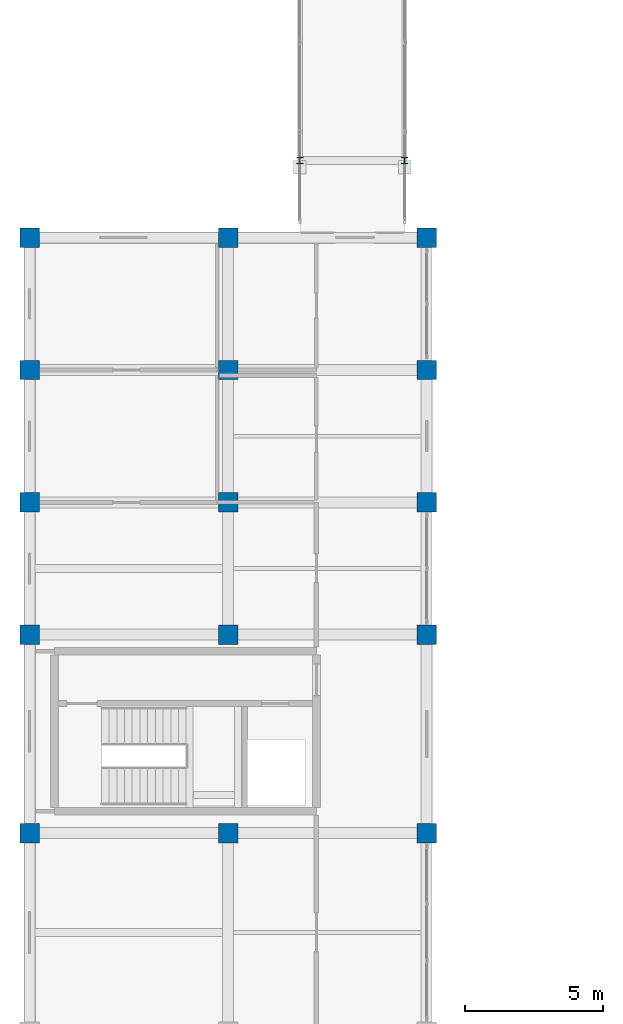
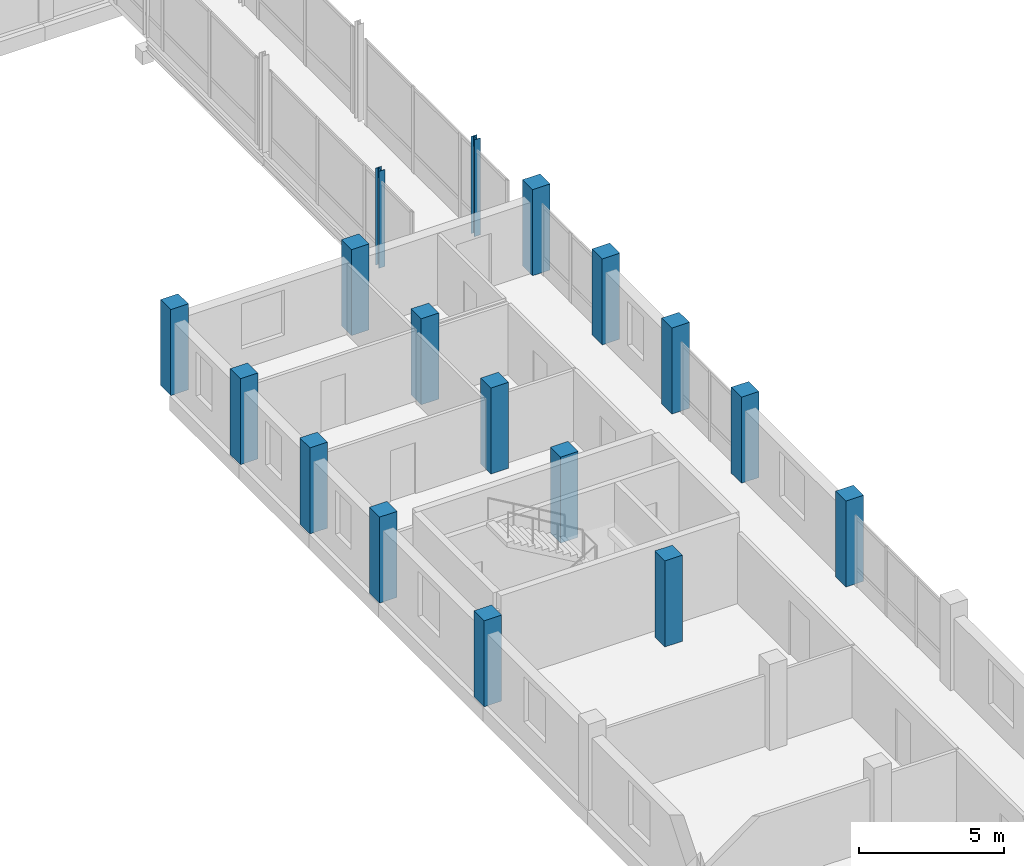
# One storey, part 3 of 128: 17 columns.
"""IFC4 building model written with IfcOpenShell, lengths in metres."""

from ifc_helpers import new_model, si_unit, direction, frame, origin, origin_2d, place, context, subcontext, project, spatial, rectangle, i_section, extrude, material, material_profile, profile_set, type_object, element, save


model = new_model("IFC4")

# Units and contexts
model_context = context("Model", 3, precision=1e-05, world=origin(), true_north=direction((0.0, 1.0)))
body_context = subcontext(model_context, "Body", "Model", "MODEL_VIEW")
ifc_project = project(units=[si_unit("LENGTHUNIT", "METRE"), si_unit("AREAUNIT", "SQUARE_METRE"), si_unit("VOLUMEUNIT", "CUBIC_METRE"), si_unit("PLANEANGLEUNIT", "RADIAN"), si_unit("MASSUNIT", "GRAM", prefix="KILO")], contexts=[model_context])

# Site, building, storey
site_placement = place(None, origin())
site = spatial("IfcSite", under=ifc_project, at=site_placement, CompositionType="ELEMENT")
building_placement = place(site_placement, origin())
building = spatial("IfcBuilding", under=site, at=building_placement, Name="Zornivar Specialist Clinic", CompositionType="ELEMENT")
storey_placement = place(building_placement, frame((0.0, 0.0, 4.5)))
storey = spatial("IfcBuildingStorey", under=building, at=storey_placement, Name="L01", CompositionType="ELEMENT", Elevation=4.5)

# Columns
ifc_material_1 = material(Name="Concrete C35/45", Category="concrete")
ifc_material_profile_1 = material_profile(ifc_material_1, rectangle(XDim=0.699951171875, YDim=0.699951171875, at=origin_2d()), Name="RC 700x700")
ifc_profile_set_1 = profile_set([ifc_material_profile_1], Name="Concrete C35/45")
column_type_1 = type_object("IfcColumnType", Name="COL-RC-700", PredefinedType="COLUMN", material=ifc_profile_set_1)
for number, where, z_axis, x_axis, name in (
    (1, (0.0, 36.0, 0.0), (0.0, 0.0, 1.0), (1.0, 0.0, 0.0), "col:V2:L01:0_360"),
    (2, (0.0, 43.199951171875, 0.0), (0.0, 0.0, 1.0), (1.0, 0.0, 0.0), "col:V2:L01:0_432"),
    (3, (0.0, 48.0, 0.0), (0.0, 0.0, 1.0), (1.0, 0.0, 0.0), "col:V2:L01:0_480"),
    (4, (0.0, 52.800048828125, 0.0), (0.0, 0.0, 1.0), (1.0, 0.0, 0.0), "col:V2:L01:0_528"),
    (5, (0.0, 57.60009765625, 0.0), (0.0, 0.0, 1.0), (1.0, 0.0, 0.0), "col:V2:L01:0_576"),
    (6, (7.199951171875, 36.0, 0.0), (0.0, 0.0, 1.0), (1.0, 0.0, 0.0), "col:V2:L01:72_360"),
    (7, (7.199951171875, 43.199951171875, 0.0), (0.0, 0.0, 1.0), (1.0, 0.0, 0.0), "col:V2:L01:72_432"),
    (8, (7.199951171875, 48.0, 0.0), (0.0, 0.0, 1.0), (1.0, 0.0, 0.0), "col:V2:L01:72_480"),
    (9, (7.199951171875, 52.800048828125, 0.0), (0.0, 0.0, 1.0), (1.0, 0.0, 0.0), "col:V2:L01:72_528"),
    (10, (7.199951171875, 57.60009765625, 0.0), (0.0, 0.0, 1.0), (1.0, 0.0, 0.0), "col:V2:L01:72_576"),
    (11, (14.39990234375, 36.0, 0.0), (0.0, 0.0, 1.0), (1.0, 0.0, 0.0), "col:V2:L01:144_360"),
    (12, (14.39990234375, 43.199951171875, 0.0), (0.0, 0.0, 1.0), (1.0, 0.0, 0.0), "col:V2:L01:144_432"),
    (13, (14.39990234375, 48.0, 0.0), (0.0, 0.0, 1.0), (1.0, 0.0, 0.0), "col:V2:L01:144_480"),
    (14, (14.39990234375, 52.800048828125, 0.0), (0.0, 0.0, 1.0), (1.0, 0.0, 0.0), "col:V2:L01:144_528"),
    (15, (14.39990234375, 57.60009765625, 0.0), (0.0, 0.0, 1.0), (1.0, 0.0, 0.0), "col:V2:L01:144_576"),
):
    element("IfcColumn", number, at=place(storey_placement, frame(where, z_axis=z_axis, x_axis=x_axis)), inside=storey, type_object=column_type_1, Name=name, PredefinedType="COLUMN", context=body_context, shape_type="SweptSolid", body=[
        extrude(rectangle(XDim=0.699951171875, YDim=0.699951171875, at=origin_2d()), origin(), (0.0, 0.0, 1.0), 3.6201171875),
    ])
ifc_material_2 = material(Name="Steel S355J2", Category="steel")
ifc_material_profile_2 = material_profile(ifc_material_2, i_section(OverallWidth=0.239990234375, OverallDepth=0.239990234375, WebThickness=0.010009765625, FlangeThickness=0.01708984375, FilletRadius=0.02099609375, at=origin_2d()), Name="HEB 240")
ifc_profile_set_2 = profile_set([ifc_material_profile_2], Name="Steel S355J2")
column_type_2 = type_object("IfcColumnType", Name="COL-STL-HEB240", PredefinedType="COLUMN", material=ifc_profile_set_2)
for number, where, z_axis, x_axis, name in (
    (16, (9.800048828125, 60.39990234375, 0.0), (0.0, 0.0, 1.0), (1.0, 0.0, 0.0), "col:BR2:L01:98_604"),
    (17, (13.60009765625, 60.39990234375, 0.0), (0.0, 0.0, 1.0), (1.0, 0.0, 0.0), "col:BR2:L01:136_604"),
):
    element("IfcColumn", number, at=place(storey_placement, frame(where, z_axis=z_axis, x_axis=x_axis)), inside=storey, type_object=column_type_2, Name=name, PredefinedType="COLUMN", context=body_context, shape_type="SweptSolid", body=[
        extrude(i_section(OverallWidth=0.239990234375, OverallDepth=0.239990234375, WebThickness=0.010009765625, FlangeThickness=0.01708984375, FilletRadius=0.02099609375, at=origin_2d()), origin(), (0.0, 0.0, 1.0), 4.080078125),
    ])

save(model, "model.ifc")
